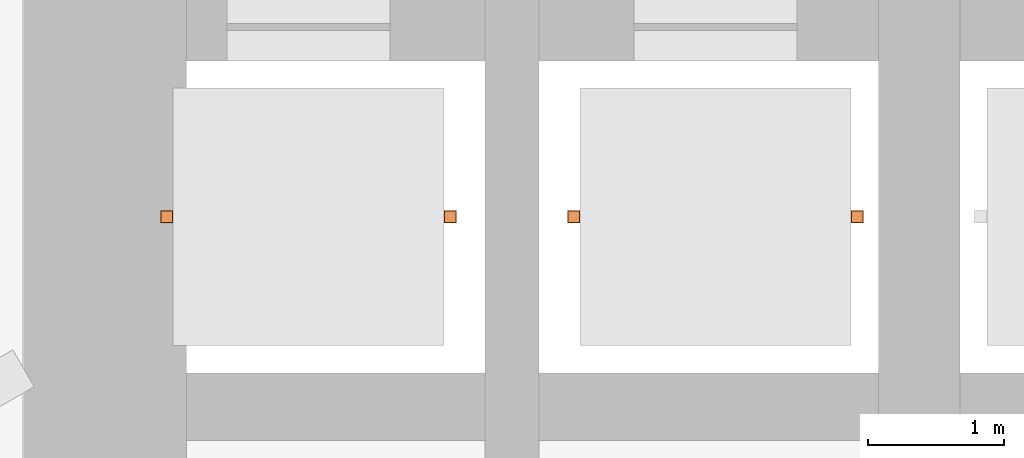
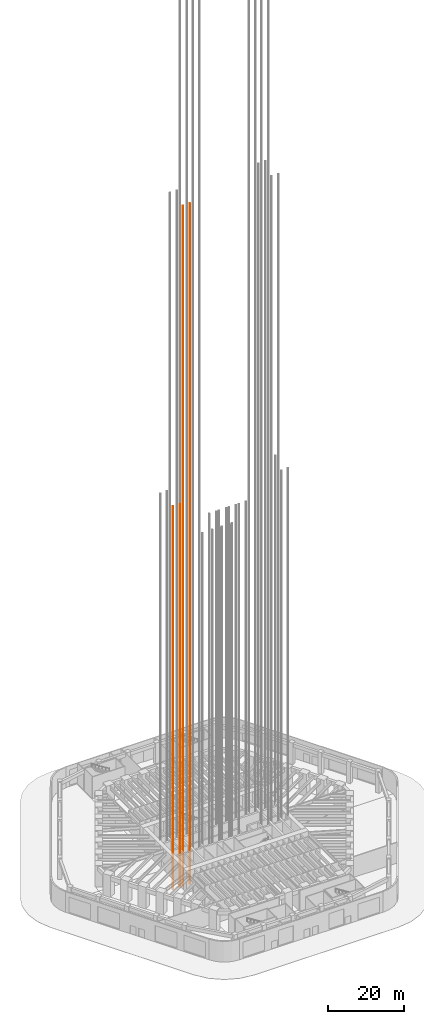
# One storey, part 15 of 23: 2 proxies.
"""IFC4 building model written with IfcOpenShell, lengths in metres."""

from ifc_helpers import new_model, si_unit, direction, frame, frame_2d, origin, origin_2d, place, context, subcontext, project, spatial, rectangle, extrude, material, element, save


model = new_model("IFC4")

# Units and contexts
model_context = context("Model", 3, precision=1e-05, world=origin(), true_north=direction((0.0, 1.0)))
body_context = subcontext(model_context, "Body", "Model", "MODEL_VIEW")
ifc_project = project(units=[si_unit("LENGTHUNIT", "METRE"), si_unit("AREAUNIT", "SQUARE_METRE"), si_unit("VOLUMEUNIT", "CUBIC_METRE"), si_unit("PLANEANGLEUNIT", "RADIAN"), si_unit("MASSUNIT", "GRAM", prefix="KILO")], contexts=[model_context])

# Site, building, storey
site_placement = place(None, origin())
site = spatial("IfcSite", under=ifc_project, at=site_placement, CompositionType="ELEMENT")
building_placement = place(site_placement, origin())
building = spatial("IfcBuilding", under=site, at=building_placement, Name="Tarfa Lantern Tower", CompositionType="ELEMENT")
storey_placement = place(building_placement, origin())
storey = spatial("IfcBuildingStorey", under=building, at=storey_placement, Name="L00", CompositionType="ELEMENT", Elevation=0.0)

# Proxies
ifc_material = material(Name="Steel S355", Category="steel")
proxy_1_placement = place(storey_placement, frame((-14.544921875, -3.39990234375, -4.5), z_axis=(0.0, 0.0, 1.0), x_axis=(1.0, 0.0, 0.0)))
element("IfcBuildingElementProxy", 1, at=proxy_1_placement, inside=storey, material=ifc_material, Name="Guide rails S8", PredefinedType="NOTDEFINED", context=body_context, shape_type="SweptSolid", body=[
    extrude(rectangle(XDim=0.090087890625, YDim=0.090087890625, at=origin_2d()), origin(), (0.0, 0.0, 1.0), 219.449951171875),
    extrude(rectangle(XDim=0.090087890625, YDim=0.090087890625, at=frame_2d((2.08984375, 0.0))), origin(), (0.0, 0.0, 1.0), 219.449951171875),
])
proxy_2_placement = place(storey_placement, frame((-17.544921875, -3.39990234375, -4.5), z_axis=(0.0, 0.0, 1.0), x_axis=(1.0, 0.0, 0.0)))
element("IfcBuildingElementProxy", 2, at=proxy_2_placement, inside=storey, material=ifc_material, Name="Guide rails S4", PredefinedType="NOTDEFINED", context=body_context, shape_type="SweptSolid", body=[
    extrude(rectangle(XDim=0.090087890625, YDim=0.090087890625, at=origin_2d()), origin(), (0.0, 0.0, 1.0), 123.449951171875),
    extrude(rectangle(XDim=0.090087890625, YDim=0.090087890625, at=frame_2d((2.08984375, 0.0))), origin(), (0.0, 0.0, 1.0), 123.449951171875),
])

save(model, "model.ifc")
